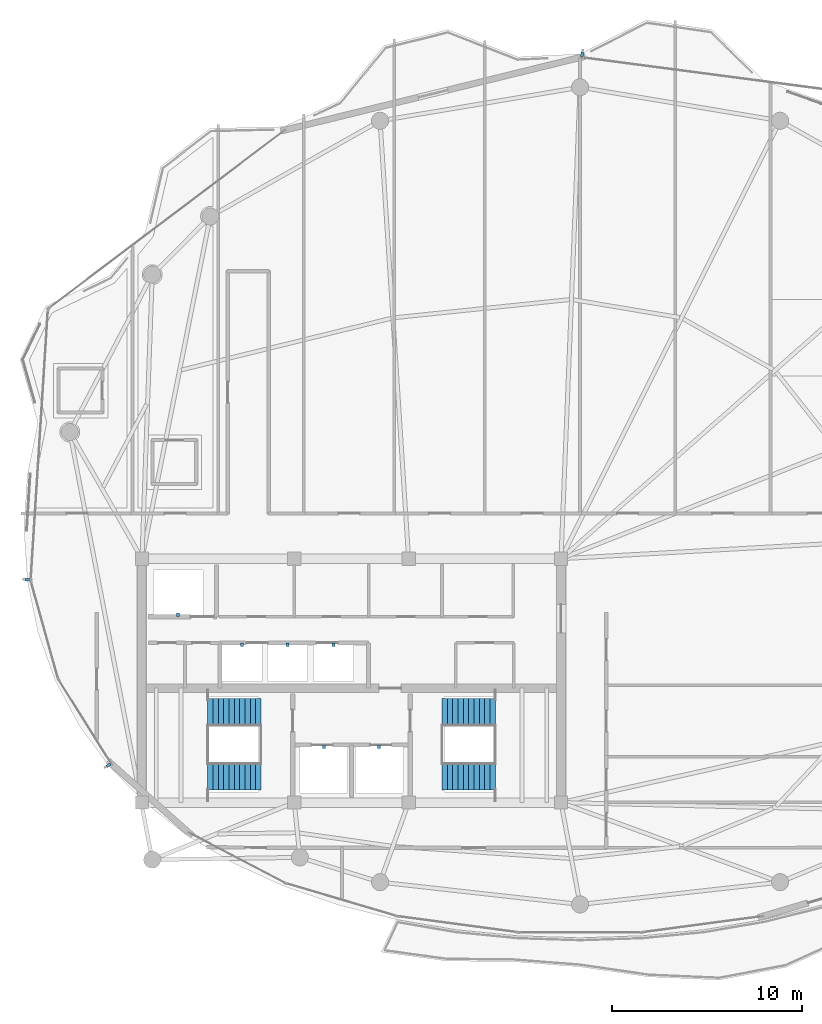
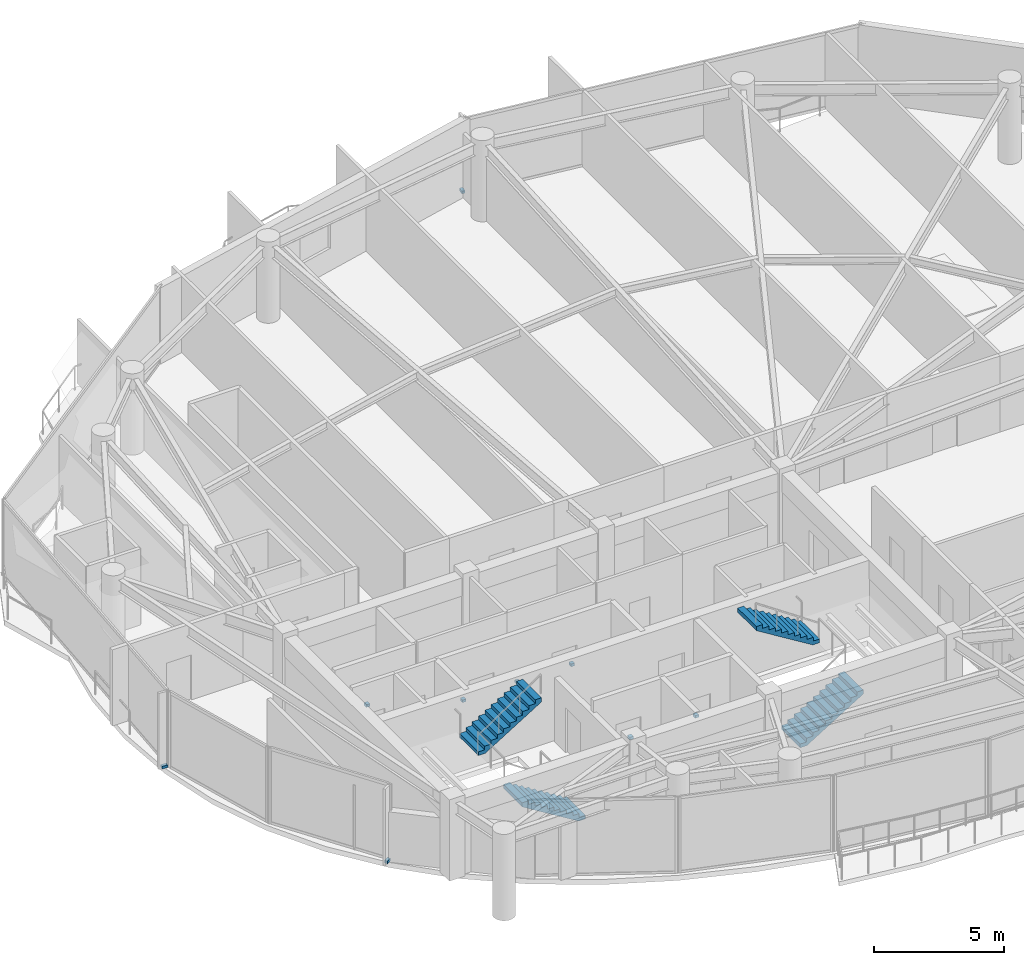
# One storey, part 27 of 30: 9 discrete accessories, 4 stair flights, 2 elements without a shape of their own.
"""IFC4 building model written with IfcOpenShell, lengths in metres."""

from ifc_helpers import new_model, si_unit, direction, frame, origin, origin_2d, place, context, subcontext, project, spatial, polyline, rectangle, outline, extrude, material, layer, layer_set, type_object, element, aggregate, save


model = new_model("IFC4")

# Units and contexts
model_context = context("Model", 3, precision=1e-05, world=origin(), true_north=direction((0.0, 1.0)))
body_context = subcontext(model_context, "Body", "Model", "MODEL_VIEW")
ifc_project = project(units=[si_unit("LENGTHUNIT", "METRE"), si_unit("AREAUNIT", "SQUARE_METRE"), si_unit("VOLUMEUNIT", "CUBIC_METRE"), si_unit("PLANEANGLEUNIT", "RADIAN"), si_unit("MASSUNIT", "GRAM", prefix="KILO")], contexts=[model_context])

# Site, building, storey
site_placement = place(None, origin())
site = spatial("IfcSite", under=ifc_project, at=site_placement, CompositionType="ELEMENT")
building_placement = place(site_placement, origin())
building = spatial("IfcBuilding", under=site, at=building_placement, Name="Kazevale Care Tower and Concert Hall", CompositionType="ELEMENT")
storey_placement = place(building_placement, frame((0.0, 0.0, 258.60009765625)))
storey = spatial("IfcBuildingStorey", under=building, at=storey_placement, Name="L68", CompositionType="ELEMENT", Elevation=258.60009765625)

# Stair, stair flights
ifc_material_1 = material(Name="Concrete C40", Category="concrete")
stair_type = type_object("IfcStairType", Name="Exit Stair Assembly ST1-U", PredefinedType="HALF_TURN_STAIR", material=ifc_material_1)
stair_1_placement = place(storey_placement, origin())
stair_1 = element("IfcStair", 1, at=stair_1_placement, inside=storey, type_object=stair_type, Name="stair:L68:ST1", PredefinedType="HALF_TURN_STAIR")
ifc_layer = layer(ifc_material_1, 0.159912109375)
ifc_layer_set = layer_set([ifc_layer], Name="Concrete C40")
stair_flight_type = type_object("IfcStairFlightType", Name="Exit Stair Flight ST1-U", PredefinedType="STRAIGHT", material=ifc_layer_set)
stair_flight_1_placement = place(storey_placement, frame((28.25, 24.969970703125, 0.0), z_axis=(0.0, 0.0, 1.0), x_axis=(-1.0, 0.0, 0.0)))
stair_flight_1 = element("IfcStairFlight", 2, at=stair_flight_1_placement, type_object=stair_flight_type, Name="ST1-U flight 1", NumberOfRisers=11, NumberOfTreads=10, PredefinedType="STRAIGHT", RiserHeight=0.172727, TreadLength=0.28, context=body_context, shape_type="SweptSolid", body=[
    extrude(outline(polyline([(0.0, 0.0), (0.0, 0.172607421875), (0.280029296875, 0.172607421875), (0.280029296875, 0.345458984375), (0.56005859375, 0.345458984375), (0.56005859375, 0.51806640625), (0.840087890625, 0.51806640625), (0.840087890625, 0.69091796875), (1.1201171875, 0.69091796875), (1.1201171875, 0.863525390625), (1.39990234375, 0.863525390625), (1.39990234375, 1.036376953125), (1.679931640625, 1.036376953125), (1.679931640625, 1.208984375), (1.9599609375, 1.208984375), (1.9599609375, 1.3818359375), (2.239990234375, 1.3818359375), (2.239990234375, 1.554443359375), (2.52001953125, 1.554443359375), (2.52001953125, 1.727294921875), (2.800048828125, 1.727294921875), (2.800048828125, 1.89990234375), (2.800048828125, 1.539306640625), (0.3046875, 0.0), (0.0, 0.0)])), frame((0.0, 0.719970703125, 0.0), z_axis=(0.0, -1.0, 0.0), x_axis=(1.0, 0.0, 0.0)), (0.0, 0.0, 1.0), 1.43994140625),
])
stair_flight_2_placement = place(storey_placement, frame((25.449951171875, 28.330078125, 1.89990234375), z_axis=(0.0, 0.0, 1.0), x_axis=(1.0, 0.0, 0.0)))
stair_flight_2 = element("IfcStairFlight", 3, at=stair_flight_2_placement, type_object=stair_flight_type, Name="ST1-U flight 2", NumberOfRisers=11, NumberOfTreads=10, PredefinedType="STRAIGHT", RiserHeight=0.172727, TreadLength=0.28, context=body_context, shape_type="SweptSolid", body=[
    extrude(outline(polyline([(0.0, 0.0), (0.0, 0.172607421875), (0.280029296875, 0.172607421875), (0.280029296875, 0.345458984375), (0.56005859375, 0.345458984375), (0.56005859375, 0.51806640625), (0.840087890625, 0.51806640625), (0.840087890625, 0.69091796875), (1.1201171875, 0.69091796875), (1.1201171875, 0.863525390625), (1.39990234375, 0.863525390625), (1.39990234375, 1.036376953125), (1.679931640625, 1.036376953125), (1.679931640625, 1.208984375), (1.9599609375, 1.208984375), (1.9599609375, 1.3818359375), (2.239990234375, 1.3818359375), (2.239990234375, 1.554443359375), (2.52001953125, 1.554443359375), (2.52001953125, 1.727294921875), (2.800048828125, 1.727294921875), (2.800048828125, 1.89990234375), (2.800048828125, 1.539306640625), (0.3046875, 0.0), (0.0, 0.0)])), frame((0.0, 0.719970703125, 0.0), z_axis=(0.0, -1.0, 0.0), x_axis=(1.0, 0.0, 0.0)), (0.0, 0.0, 1.0), 1.43994140625),
])
aggregate(stair_1, [stair_flight_1, stair_flight_2])

stair_2_placement = place(storey_placement, origin())
stair_2 = element("IfcStair", 4, at=stair_2_placement, inside=storey, type_object=stair_type, Name="stair:L68:ST2", PredefinedType="HALF_TURN_STAIR")
stair_flight_3_placement = place(storey_placement, frame((37.75, 24.969970703125, 0.0), z_axis=(0.0, 0.0, 1.0), x_axis=(1.0, 0.0, 0.0)))
stair_flight_3 = element("IfcStairFlight", 5, at=stair_flight_3_placement, type_object=stair_flight_type, Name="ST1-U flight 1", NumberOfRisers=11, NumberOfTreads=10, PredefinedType="STRAIGHT", RiserHeight=0.172727, TreadLength=0.28, context=body_context, shape_type="SweptSolid", body=[
    extrude(outline(polyline([(0.0, 0.0), (0.0, 0.172607421875), (0.280029296875, 0.172607421875), (0.280029296875, 0.345458984375), (0.56005859375, 0.345458984375), (0.56005859375, 0.51806640625), (0.840087890625, 0.51806640625), (0.840087890625, 0.69091796875), (1.1201171875, 0.69091796875), (1.1201171875, 0.863525390625), (1.39990234375, 0.863525390625), (1.39990234375, 1.036376953125), (1.679931640625, 1.036376953125), (1.679931640625, 1.208984375), (1.9599609375, 1.208984375), (1.9599609375, 1.3818359375), (2.239990234375, 1.3818359375), (2.239990234375, 1.554443359375), (2.52001953125, 1.554443359375), (2.52001953125, 1.727294921875), (2.800048828125, 1.727294921875), (2.800048828125, 1.89990234375), (2.800048828125, 1.539306640625), (0.3046875, 0.0), (0.0, 0.0)])), frame((0.0, 0.719970703125, 0.0), z_axis=(0.0, -1.0, 0.0), x_axis=(1.0, 0.0, 0.0)), (0.0, 0.0, 1.0), 1.43994140625),
])
stair_flight_4_placement = place(storey_placement, frame((40.550048828125, 28.330078125, 1.89990234375), z_axis=(0.0, 0.0, 1.0), x_axis=(-1.0, 0.0, 0.0)))
stair_flight_4 = element("IfcStairFlight", 6, at=stair_flight_4_placement, type_object=stair_flight_type, Name="ST1-U flight 2", NumberOfRisers=11, NumberOfTreads=10, PredefinedType="STRAIGHT", RiserHeight=0.172727, TreadLength=0.28, context=body_context, shape_type="SweptSolid", body=[
    extrude(outline(polyline([(0.0, 0.0), (0.0, 0.172607421875), (0.280029296875, 0.172607421875), (0.280029296875, 0.345458984375), (0.56005859375, 0.345458984375), (0.56005859375, 0.51806640625), (0.840087890625, 0.51806640625), (0.840087890625, 0.69091796875), (1.1201171875, 0.69091796875), (1.1201171875, 0.863525390625), (1.39990234375, 0.863525390625), (1.39990234375, 1.036376953125), (1.679931640625, 1.036376953125), (1.679931640625, 1.208984375), (1.9599609375, 1.208984375), (1.9599609375, 1.3818359375), (2.239990234375, 1.3818359375), (2.239990234375, 1.554443359375), (2.52001953125, 1.554443359375), (2.52001953125, 1.727294921875), (2.800048828125, 1.727294921875), (2.800048828125, 1.89990234375), (2.800048828125, 1.539306640625), (0.3046875, 0.0), (0.0, 0.0)])), frame((0.0, 0.719970703125, 0.0), z_axis=(0.0, -1.0, 0.0), x_axis=(1.0, 0.0, 0.0)), (0.0, 0.0, 1.0), 1.43994140625),
])
aggregate(stair_2, [stair_flight_3, stair_flight_4])

# Discrete accessories
ifc_material_2 = material(Name="Stainless Steel 316", Category="steel")
discrete_accessory_type_1 = type_object("IfcDiscreteAccessoryType", Name="Facade Fin Stainless Anchor Bracket BRK-1", PredefinedType="BRACKET", material=ifc_material_2)
for number, where, z_axis, x_axis, name in (
    (7, (20.247802734375, 25.560302734375, -0.000244140625), (0.0, 0.0, 1.0), (-0.846657866138, -0.532137630417, 0.0), "cw:L68:f11:brk"),
    (8, (15.994873046875, 35.3046875, -0.000244140625), (0.0, 0.0, 1.0), (-0.997982649167, 0.063487258268, 0.0), "cw:L68:f13:brk"),
    (9, (45.10888671875, 62.88525390625, -0.000244140625), (0.0, 0.0, 1.0), (0.13052619222, 0.991444861374, 0.0), "cw:L68:f16:brk"),
):
    element("IfcDiscreteAccessory", number, at=place(storey_placement, frame(where, z_axis=z_axis, x_axis=x_axis)), inside=storey, type_object=discrete_accessory_type_1, Name=name, PredefinedType="BRACKET", context=body_context, shape_type="SweptSolid", body=[
        extrude(rectangle(XDim=0.239990234375, YDim=0.139892578125, at=origin_2d()), origin(), (0.0, 0.0, 1.0), 0.1201171875),
    ])
discrete_accessory_type_2 = type_object("IfcDiscreteAccessoryType", Name="Hoistway Guide-Rail Wall Bracket HBRK-1", PredefinedType="BRACKET", material=ifc_material_2)
for number, where, z_axis, x_axis, name in (
    (10, (31.550048828125, 26.52001953125, 1.23974609375), (0.0, 0.0, 1.0), (1.0, 0.0, 0.0), "hbrk:FFL-1:L68"),
    (11, (34.449951171875, 26.52001953125, 1.23974609375), (0.0, 0.0, 1.0), (1.0, 0.0, 0.0), "hbrk:FFL-2:L68"),
    (12, (23.89990234375, 33.449951171875, 1.23974609375), (0.0, 0.0, 1.0), (1.0, 0.0, 0.0), "hbrk:SVL-1:L68"),
    (13, (27.25, 31.8798828125, 1.23974609375), (0.0, 0.0, 1.0), (1.0, 0.0, 0.0), "hbrk:PH-1:L68"),
    (14, (29.64990234375, 31.8798828125, 1.23974609375), (0.0, 0.0, 1.0), (1.0, 0.0, 0.0), "hbrk:PH-2:L68"),
    (15, (32.050048828125, 31.8798828125, 1.23974609375), (0.0, 0.0, 1.0), (1.0, 0.0, 0.0), "hbrk:PH-3:L68"),
):
    element("IfcDiscreteAccessory", number, at=place(storey_placement, frame(where, z_axis=z_axis, x_axis=x_axis)), inside=storey, type_object=discrete_accessory_type_2, Name=name, PredefinedType="BRACKET", context=body_context, shape_type="SweptSolid", body=[
        extrude(rectangle(XDim=0.159912109375, YDim=0.179931640625, at=origin_2d()), origin(), (0.0, 0.0, 1.0), 0.1201171875),
    ])

save(model, "model.ifc")
